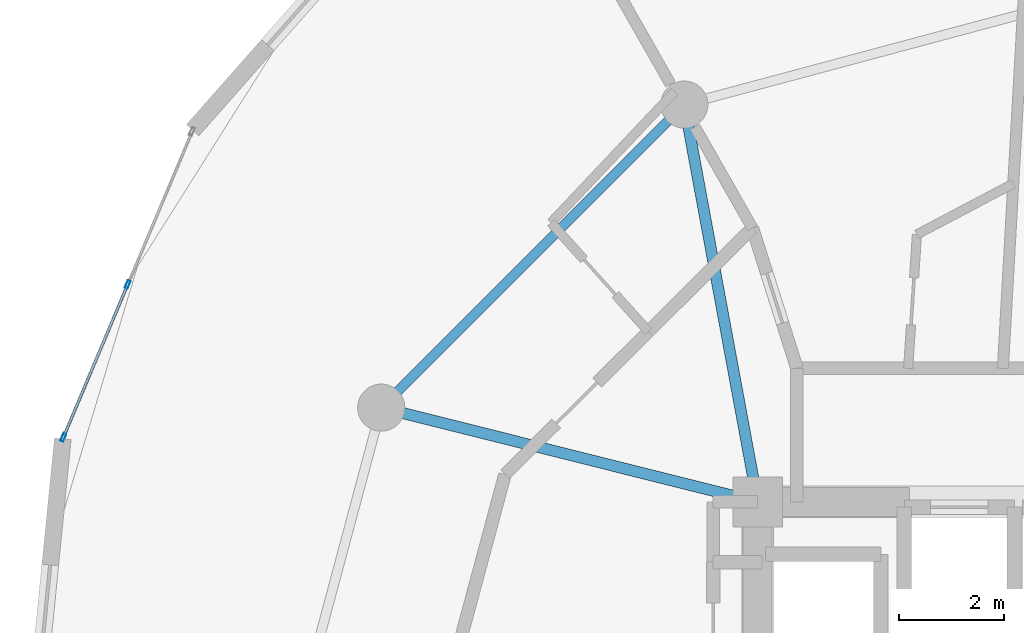
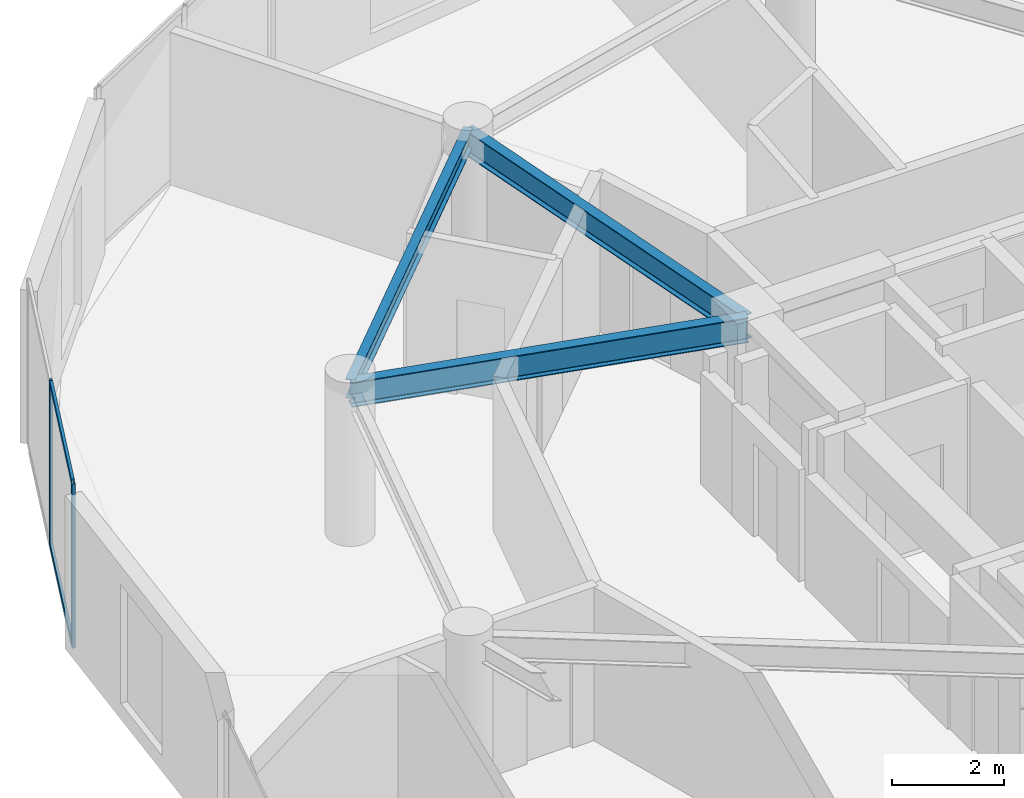
# One storey, part 9 of 21: 4 members, 3 beams, 1 element without a shape of its own.
"""IFC4 building model written with IfcOpenShell, lengths in metres."""

from ifc_helpers import new_model, si_unit, direction, frame, origin, origin_2d, place, context, subcontext, project, spatial, hollow_rectangle, i_section, extrude, source, transform, mapped, material, layer, layer_set, material_profile, profile_set, type_object, element, aggregate, save


model = new_model("IFC4")

# Units and contexts
model_context = context("Model", 3, precision=1e-05, world=origin(), true_north=direction((0.0, 1.0)))
body_context = subcontext(model_context, "Body", "Model", "MODEL_VIEW")
ifc_project = project(units=[si_unit("LENGTHUNIT", "METRE"), si_unit("AREAUNIT", "SQUARE_METRE"), si_unit("VOLUMEUNIT", "CUBIC_METRE"), si_unit("PLANEANGLEUNIT", "RADIAN"), si_unit("MASSUNIT", "GRAM", prefix="KILO")], contexts=[model_context])

# Site, building, storey
site_placement = place(None, origin())
site = spatial("IfcSite", under=ifc_project, at=site_placement, CompositionType="ELEMENT")
building_placement = place(site_placement, origin())
building = spatial("IfcBuilding", under=site, at=building_placement, Name="Solvirekh Grand Hotel", CompositionType="ELEMENT")
storey_placement = place(building_placement, frame((0.0, 0.0, 223.60009765625)))
storey = spatial("IfcBuildingStorey", under=building, at=storey_placement, Name="L58", CompositionType="ELEMENT", Elevation=223.60009765625)

# Beams
ifc_material_1 = material(Name="Steel S355", Category="steel")
ifc_material_profile_1 = material_profile(ifc_material_1, i_section(OverallWidth=0.2119140625, OverallDepth=0.5439453125, WebThickness=0.011962890625, FlangeThickness=0.01904296875, FilletRadius=0.013916015625, at=origin_2d()), Name="W530X123")
ifc_profile_set_1 = profile_set([ifc_material_profile_1], Name="Steel S355")
beam_type_1 = type_object("IfcBeamType", Name="Beam_Radial_W530H", PredefinedType="BEAM", material=ifc_profile_set_1)
beam_1_placement = place(storey_placement, frame((-6.5, 6.10009765625, 3.087890625), z_axis=(-0.181542769111, 0.983383049978, 0.0), x_axis=(-0.983383049978, -0.181542769111, 0.0)))
element("IfcBeam", 1, at=beam_1_placement, inside=storey, type_object=beam_type_1, Name="L58 radial floor beam R05", PredefinedType="BEAM", context=body_context, shape_type="SweptSolid", body=[
    extrude(i_section(OverallWidth=0.2119140625, OverallDepth=0.5439453125, WebThickness=0.011962890625, FlangeThickness=0.01904296875, FilletRadius=0.013916015625, at=origin_2d()), origin(), (0.0, 0.0, 1.0), 7.711181640625),
])
beam_2_placement = place(storey_placement, frame((-6.5, 6.10009765625, 3.087890625), z_axis=(-0.970014367692, 0.243047580675, 0.0), x_axis=(-0.243047580675, -0.970014367692, 0.0)))
element("IfcBeam", 2, at=beam_2_placement, inside=storey, type_object=beam_type_1, Name="L58 radial floor beam R06", PredefinedType="BEAM", context=body_context, shape_type="SweptSolid", body=[
    extrude(i_section(OverallWidth=0.2119140625, OverallDepth=0.5439453125, WebThickness=0.011962890625, FlangeThickness=0.01904296875, FilletRadius=0.013916015625, at=origin_2d()), origin(), (0.0, 0.0, 1.0), 7.4052734375),
])
ifc_material_profile_2 = material_profile(ifc_material_1, i_section(OverallWidth=0.180908203125, OverallDepth=0.4169921875, WebThickness=0.010009765625, FlangeThickness=0.01611328125, FilletRadius=0.011962890625, at=origin_2d()), Name="W410X85")
ifc_profile_set_2 = profile_set([ifc_material_profile_2], Name="Steel S355")
beam_type_2 = type_object("IfcBeamType", Name="Spandrel_Ring_W410", PredefinedType="SPANDREL", material=ifc_profile_set_2)
beam_3_placement = place(storey_placement, frame((-7.89990234375, 13.68310546875, 3.15185546875), z_axis=(-0.707106781187, -0.707106781187, 0.0), x_axis=(0.707106781187, -0.707106781187, 0.0)))
element("IfcBeam", 3, at=beam_3_placement, inside=storey, type_object=beam_type_2, Name="L58 perimeter spandrel beam 5", PredefinedType="SPANDREL", context=body_context, shape_type="SweptSolid", body=[
    extrude(i_section(OverallWidth=0.180908203125, OverallDepth=0.4169921875, WebThickness=0.010009765625, FlangeThickness=0.01611328125, FilletRadius=0.011962890625, at=origin_2d()), origin(), (0.0, 0.0, 1.0), 8.1787109375),
])

# Curtain wall, members
ifc_material_2 = material(Name="Anodized Bronze Aluminium 6063-T6", Category="aluminium")
ifc_layer = layer(ifc_material_2, 0.159912109375)
ifc_layer_set = layer_set([ifc_layer], Name="Anodized Bronze Aluminium 6063-T6")
curtain_wall_type = type_object("IfcCurtainWallType", Name="CW_Sys4_HighZoneFlushBronzeCW", PredefinedType="NOTDEFINED", material=ifc_layer_set)
curtain_wall_placement = place(storey_placement, origin())
curtain_wall = element("IfcCurtainWall", 4, at=curtain_wall_placement, inside=storey, type_object=curtain_wall_type, Name="L58 unitised bronze-glass curtain wall CW-L58-C13", PredefinedType="NOTDEFINED")
ifc_material_profile_3 = material_profile(ifc_material_2, hollow_rectangle(XDim=0.054931640625, YDim=0.1201171875, WallThickness=0.00390625, at=origin_2d()), Name="ALU RHS 120X55X4")
ifc_profile_set_3 = profile_set([ifc_material_profile_3], Name="Anodized Bronze Aluminium 6063-T6")
member_type_1 = type_object("IfcMemberType", Name="CWTransom_Sys4", PredefinedType="USERDEFINED", material=ifc_profile_set_3)
shared_shape_1 = source(origin(), body_context, "Body", "SweptSolid", [
    extrude(hollow_rectangle(XDim=0.054931640625, YDim=0.1201171875, WallThickness=0.00390625, at=origin_2d()), origin(), (0.0, 0.0, 1.0), 3.1044921875),
])
member_1_placement = place(storey_placement, frame((-18.53369140625, 10.221923828125, 0.02734375), z_axis=(-0.387846053154, -0.921724166469, 0.0), x_axis=(0.921724166469, -0.387846053154, 0.0)))
member_1 = element("IfcMember", 5, at=member_1_placement, type_object=member_type_1, Name="U04 transom 2.1", ObjectType="TRANSOM", PredefinedType="USERDEFINED", context=body_context, shape_type="MappedRepresentation", body=[
    mapped(shared_shape_1, transform((0.0, 0.0, 0.0), x_axis=(1.0, 0.0, 0.0), y_axis=(0.0, 1.0, 0.0), z_axis=(0.0, 0.0, 1.0), scale=1.0)),
])
member_2_placement = place(storey_placement, frame((-18.53369140625, 10.221923828125, 3.572509765625), z_axis=(-0.387846053154, -0.921724166469, 0.0), x_axis=(0.921724166469, -0.387846053154, 0.0)))
member_2 = element("IfcMember", 6, at=member_2_placement, type_object=member_type_1, Name="U04 transom 2.2", ObjectType="TRANSOM", PredefinedType="USERDEFINED", context=body_context, shape_type="MappedRepresentation", body=[
    mapped(shared_shape_1, transform((0.0, 0.0, 0.0), x_axis=(1.0, 0.0, 0.0), y_axis=(0.0, 1.0, 0.0), z_axis=(0.0, 0.0, 1.0), scale=1.0)),
])
ifc_material_profile_4 = material_profile(ifc_material_2, hollow_rectangle(XDim=0.06005859375, YDim=0.159912109375, WallThickness=0.0048828125, at=origin_2d()), Name="ALU RHS 160X60X5")
ifc_profile_set_4 = profile_set([ifc_material_profile_4], Name="Anodized Bronze Aluminium 6063-T6")
member_type_2 = type_object("IfcMemberType", Name="CWMullion_Sys4", PredefinedType="MULLION", material=ifc_profile_set_4)
shared_shape_2 = source(origin(), body_context, "Body", "SweptSolid", [
    extrude(hollow_rectangle(XDim=0.06005859375, YDim=0.159912109375, WallThickness=0.0048828125, at=origin_2d()), origin(), (0.0, 0.0, 1.0), 3.599853515625),
])
member_3_placement = place(storey_placement, frame((-18.52197265625, 10.24951171875, 0.0), z_axis=(0.0, 0.0, 1.0), x_axis=(0.921723736836, -0.387847074185, 0.0)))
member_3 = element("IfcMember", 7, at=member_3_placement, type_object=member_type_2, Name="U04 mullion 2", PredefinedType="MULLION", context=body_context, shape_type="MappedRepresentation", body=[
    mapped(shared_shape_2, transform((0.0, 0.0, 0.0), x_axis=(1.0, 0.0, 0.0), y_axis=(0.0, 1.0, 0.0), z_axis=(0.0, 0.0, 1.0), scale=1.0)),
])
member_4_placement = place(storey_placement, frame((-19.749267578125, 7.332763671875, 0.0), z_axis=(0.0, 0.0, 1.0), x_axis=(0.921723736836, -0.387847074185, 0.0)))
member_4 = element("IfcMember", 8, at=member_4_placement, type_object=member_type_2, Name="U04 mullion 3", PredefinedType="MULLION", context=body_context, shape_type="MappedRepresentation", body=[
    mapped(shared_shape_2, transform((0.0, 0.0, 0.0), x_axis=(1.0, 0.0, 0.0), y_axis=(0.0, 1.0, 0.0), z_axis=(0.0, 0.0, 1.0), scale=1.0)),
])
aggregate(curtain_wall, [member_3, member_4, member_1, member_2])

save(model, "model.ifc")
